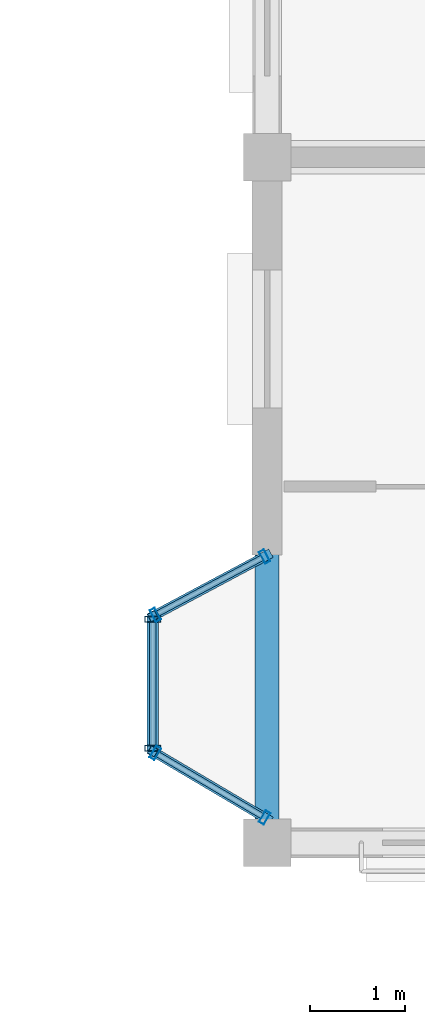
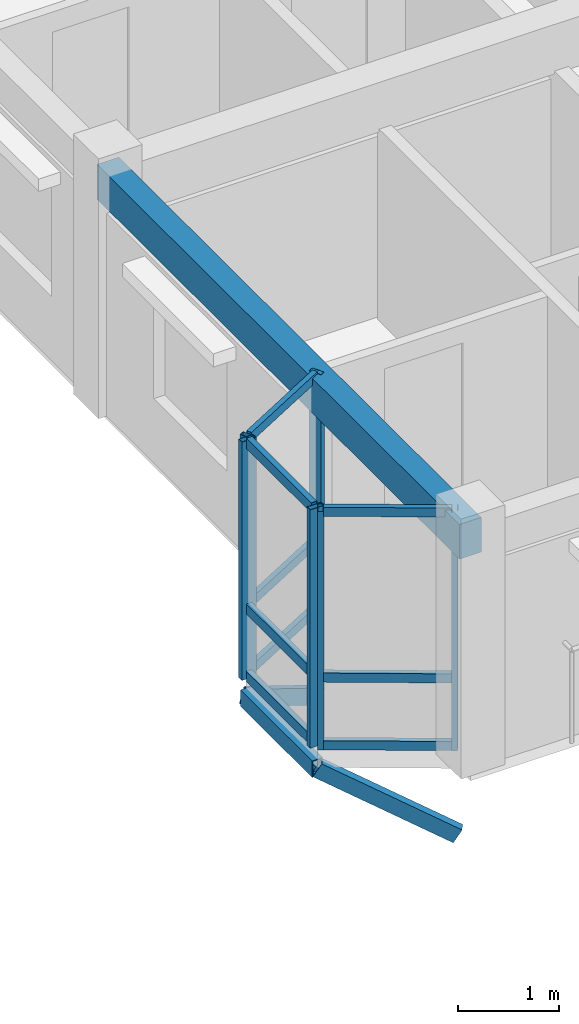
# One storey, part 14 of 64: 18 members, 1 beam, 3 elements without a shape of their own.
"""IFC4 building model written with IfcOpenShell, lengths in metres."""

from ifc_helpers import new_model, si_unit, direction, frame, origin, origin_2d, place, context, subcontext, project, spatial, rectangle, hollow_rectangle, extrude, material, layer, layer_set, material_profile, profile_set, type_object, element, aggregate, save


model = new_model("IFC4")

# Units and contexts
model_context = context("Model", 3, precision=1e-05, world=origin(), true_north=direction((0.0, 1.0)))
body_context = subcontext(model_context, "Body", "Model", "MODEL_VIEW")
ifc_project = project(units=[si_unit("LENGTHUNIT", "METRE"), si_unit("AREAUNIT", "SQUARE_METRE"), si_unit("VOLUMEUNIT", "CUBIC_METRE"), si_unit("PLANEANGLEUNIT", "RADIAN"), si_unit("MASSUNIT", "GRAM", prefix="KILO"), si_unit("THERMODYNAMICTEMPERATUREUNIT", "KELVIN"), si_unit("POWERUNIT", "WATT")], contexts=[model_context])

# Site, building, storey
site_placement = place(None, origin())
site = spatial("IfcSite", under=ifc_project, at=site_placement, CompositionType="ELEMENT")
building_placement = place(site_placement, origin())
building = spatial("IfcBuilding", under=site, at=building_placement, Name="Tavuni Mirador Residences", CompositionType="ELEMENT")
storey_placement = place(building_placement, frame((0.0, 0.0, 26.550048828125)))
storey = spatial("IfcBuildingStorey", under=building, at=storey_placement, Name="L08", CompositionType="ELEMENT", Elevation=26.550048828125)

# Beam
ifc_material_1 = material(Name="Precast concrete C40/50", Category="concrete")
ifc_material_profile_1 = material_profile(ifc_material_1, rectangle(XDim=0.25, YDim=0.419921875, at=origin_2d()), Name="PC 250x420", Category="concrete")
ifc_profile_set_1 = profile_set([ifc_material_profile_1], Name="Precast concrete C40/50")
beam_type = type_object("IfcBeamType", Name="BT-SP420", PredefinedType="SPANDREL", material=ifc_profile_set_1)
beam_placement = place(storey_placement, frame((97.199951171875, 86.39990234375, 2.679931640625), z_axis=(0.0, 1.0, 0.0), x_axis=(-1.0, 0.0, 0.0)))
element("IfcBeam", 1, at=beam_placement, inside=storey, type_object=beam_type, Name="BMY-BLK-D-L08-00-00", PredefinedType="SPANDREL", context=body_context, shape_type="SweptSolid", body=[
    extrude(rectangle(XDim=0.25, YDim=0.419921875, at=origin_2d()), origin(), (0.0, 0.0, 1.0), 7.2001953125),
])

# Curtain wall, members
ifc_material_2 = material(Name="Anodised aluminium", Category="aluminium")
ifc_layer_1 = layer(ifc_material_2, 0.1650390625, Name="Anodised aluminium", Category="aluminium")
ifc_layer_set_1 = layer_set([ifc_layer_1], Name="Anodised aluminium")
curtain_wall_type_1 = type_object("IfcCurtainWallType", Name="CWT-MIR-A", PredefinedType="NOTDEFINED", material=ifc_layer_set_1)
curtain_wall_1_placement = place(storey_placement, origin())
curtain_wall_1 = element("IfcCurtainWall", 2, at=curtain_wall_1_placement, inside=storey, type_object=curtain_wall_type_1, Name="CW-MIR-D-WU-L08-M1", PredefinedType="NOTDEFINED")
ifc_material_profile_2 = material_profile(ifc_material_2, hollow_rectangle(XDim=0.06005859375, YDim=0.139892578125, WallThickness=0.00390625, at=origin_2d()), Name="ALU 60x140x4.0", Category="aluminium")
ifc_profile_set_2 = profile_set([ifc_material_profile_2], Name="Anodised aluminium")
member_type_1 = type_object("IfcMemberType", Name="CWM-140", PredefinedType="MULLION", material=ifc_profile_set_2)
member_1_placement = place(storey_placement, frame((97.173583984375, 89.40576171875, 0.0), z_axis=(0.0, 0.0, 1.0), x_axis=(-0.882352941175, -0.470588235296, 0.0)))
member_1 = element("IfcMember", 3, at=member_1_placement, type_object=member_type_1, Name="CW-01 mullion 1", PredefinedType="MULLION", context=body_context, shape_type="SweptSolid", body=[
    extrude(hollow_rectangle(XDim=0.06005859375, YDim=0.139892578125, WallThickness=0.00390625, at=origin_2d()), origin(), (0.0, 0.0, 1.0), 2.889892578125),
])
member_2_placement = place(storey_placement, frame((96.0263671875, 88.794189453125, 0.0), z_axis=(0.0, 0.0, 1.0), x_axis=(-0.882352941175, -0.470588235296, 0.0)))
member_2 = element("IfcMember", 4, at=member_2_placement, type_object=member_type_1, Name="CW-01 mullion 2", PredefinedType="MULLION", context=body_context, shape_type="SweptSolid", body=[
    extrude(hollow_rectangle(XDim=0.06005859375, YDim=0.139892578125, WallThickness=0.00390625, at=origin_2d()), origin(), (0.0, 0.0, 1.0), 2.889892578125),
])

ifc_layer_2 = layer(ifc_material_2, 0.175048828125, Name="Anodised aluminium", Category="aluminium")
ifc_layer_set_2 = layer_set([ifc_layer_2], Name="Anodised aluminium")
curtain_wall_type_2 = type_object("IfcCurtainWallType", Name="CWT-MIR-C", PredefinedType="NOTDEFINED", material=ifc_layer_set_2)
curtain_wall_2_placement = place(storey_placement, origin())
curtain_wall_2 = element("IfcCurtainWall", 5, at=curtain_wall_2_placement, inside=storey, type_object=curtain_wall_type_2, Name="CW-MIR-D-WU-L08-M2", PredefinedType="NOTDEFINED")
member_3_placement = place(storey_placement, frame((96.02587890625, 87.3447265625, 0.0), z_axis=(0.0, 0.0, 1.0), x_axis=(0.860640830284, -0.509212491254, 0.0)))
member_3 = element("IfcMember", 6, at=member_3_placement, type_object=member_type_1, Name="CW-03 mullion 1", PredefinedType="MULLION", context=body_context, shape_type="SweptSolid", body=[
    extrude(hollow_rectangle(XDim=0.06005859375, YDim=0.139892578125, WallThickness=0.00390625, at=origin_2d()), origin(), (0.0, 0.0, 1.0), 2.889892578125),
])
member_4_placement = place(storey_placement, frame((97.174072265625, 86.665283203125, 0.0), z_axis=(0.0, 0.0, 1.0), x_axis=(0.860640830284, -0.509212491254, 0.0)))
member_4 = element("IfcMember", 7, at=member_4_placement, type_object=member_type_1, Name="CW-03 mullion 2", PredefinedType="MULLION", context=body_context, shape_type="SweptSolid", body=[
    extrude(hollow_rectangle(XDim=0.06005859375, YDim=0.139892578125, WallThickness=0.00390625, at=origin_2d()), origin(), (0.0, 0.0, 1.0), 2.889892578125),
])

ifc_layer_3 = layer(ifc_material_2, 0.14990234375, Name="Anodised aluminium", Category="aluminium")
ifc_layer_set_3 = layer_set([ifc_layer_3], Name="Anodised aluminium")
curtain_wall_type_3 = type_object("IfcCurtainWallType", Name="CWT-MIR-B", PredefinedType="NOTDEFINED", material=ifc_layer_set_3)
curtain_wall_3_placement = place(storey_placement, origin())
curtain_wall_3 = element("IfcCurtainWall", 8, at=curtain_wall_3_placement, inside=storey, type_object=curtain_wall_type_3, Name="CW-MIR-D-WU-L08-MF", PredefinedType="NOTDEFINED")
ifc_material_profile_3 = material_profile(ifc_material_2, hollow_rectangle(XDim=0.06494140625, YDim=0.1650390625, WallThickness=0.00439453125, at=origin_2d()), Name="ALU 65x165x4.5", Category="aluminium")
ifc_profile_set_3 = profile_set([ifc_material_profile_3], Name="Anodised aluminium")
member_type_2 = type_object("IfcMemberType", Name="CWM-165", PredefinedType="MULLION", material=ifc_profile_set_3)
member_5_placement = place(storey_placement, frame((96.0, 88.74755859375, 0.0), z_axis=(0.0, 0.0, 1.0), x_axis=(0.0, -1.0, 0.0)))
member_5 = element("IfcMember", 9, at=member_5_placement, type_object=member_type_2, Name="CW-02 mullion 1", PredefinedType="MULLION", context=body_context, shape_type="SweptSolid", body=[
    extrude(hollow_rectangle(XDim=0.06494140625, YDim=0.1650390625, WallThickness=0.00439453125, at=origin_2d()), origin(), (0.0, 0.0, 1.0), 2.889892578125),
])
member_6_placement = place(storey_placement, frame((96.0, 87.392578125, 0.0), z_axis=(0.0, 0.0, 1.0), x_axis=(0.0, -1.0, 0.0)))
member_6 = element("IfcMember", 10, at=member_6_placement, type_object=member_type_2, Name="CW-02 mullion 2", PredefinedType="MULLION", context=body_context, shape_type="SweptSolid", body=[
    extrude(hollow_rectangle(XDim=0.06494140625, YDim=0.1650390625, WallThickness=0.00439453125, at=origin_2d()), origin(), (0.0, 0.0, 1.0), 2.889892578125),
])

# Member
ifc_material_profile_4 = material_profile(ifc_material_2, hollow_rectangle(XDim=0.06005859375, YDim=0.110107421875, WallThickness=0.00390625, at=origin_2d()), Name="ALU 60x110x4.0", Category="aluminium")
ifc_profile_set_4 = profile_set([ifc_material_profile_4], Name="Anodised aluminium")
member_type_3 = type_object("IfcMemberType", Name="CWT-110", PredefinedType="USERDEFINED", material=ifc_profile_set_4)
member_7_placement = place(storey_placement, frame((97.14697265625, 89.391845703125, 0.030029296875), z_axis=(-0.882342039492, -0.470608675382, 0.0), x_axis=(0.470608675382, -0.882342039492, 0.0)))
member_7 = element("IfcMember", 11, at=member_7_placement, type_object=member_type_3, Name="CW-01 transom 1.1", ObjectType="TRANSOM", PredefinedType="USERDEFINED", context=body_context, shape_type="SweptSolid", body=[
    extrude(hollow_rectangle(XDim=0.06005859375, YDim=0.110107421875, WallThickness=0.00390625, at=origin_2d()), origin(), (0.0, 0.0, 1.0), 1.239990234375),
])

member_8_placement = place(storey_placement, frame((97.14697265625, 89.391845703125, 0.849853515625), z_axis=(-0.882342039492, -0.470608675382, 0.0), x_axis=(0.470608675382, -0.882342039492, 0.0)))
member_8 = element("IfcMember", 12, at=member_8_placement, type_object=member_type_3, Name="CW-01 transom 1.2", ObjectType="TRANSOM", PredefinedType="USERDEFINED", context=body_context, shape_type="SweptSolid", body=[
    extrude(hollow_rectangle(XDim=0.06005859375, YDim=0.110107421875, WallThickness=0.00390625, at=origin_2d()), origin(), (0.0, 0.0, 1.0), 1.239990234375),
])

member_9_placement = place(storey_placement, frame((97.14697265625, 89.391845703125, 2.85986328125), z_axis=(-0.882342039492, -0.470608675382, 0.0), x_axis=(0.470608675382, -0.882342039492, 0.0)))
member_9 = element("IfcMember", 13, at=member_9_placement, type_object=member_type_3, Name="CW-01 transom 1.3", ObjectType="TRANSOM", PredefinedType="USERDEFINED", context=body_context, shape_type="SweptSolid", body=[
    extrude(hollow_rectangle(XDim=0.06005859375, YDim=0.110107421875, WallThickness=0.00390625, at=origin_2d()), origin(), (0.0, 0.0, 1.0), 1.239990234375),
])

aggregate(curtain_wall_1, [member_1, member_2, member_7, member_8, member_9])

member_10_placement = place(storey_placement, frame((96.0517578125, 87.329345703125, 0.030029296875), z_axis=(0.860705202114, -0.509103678098, 0.0), x_axis=(0.509103678098, 0.860705202114, 0.0)))
member_10 = element("IfcMember", 14, at=member_10_placement, type_object=member_type_3, Name="CW-03 transom 1.1", ObjectType="TRANSOM", PredefinedType="USERDEFINED", context=body_context, shape_type="SweptSolid", body=[
    extrude(hollow_rectangle(XDim=0.06005859375, YDim=0.110107421875, WallThickness=0.00390625, at=origin_2d()), origin(), (0.0, 0.0, 1.0), 1.274169921875),
])

member_11_placement = place(storey_placement, frame((96.0517578125, 87.329345703125, 0.849853515625), z_axis=(0.860705202114, -0.509103678098, 0.0), x_axis=(0.509103678098, 0.860705202114, 0.0)))
member_11 = element("IfcMember", 15, at=member_11_placement, type_object=member_type_3, Name="CW-03 transom 1.2", ObjectType="TRANSOM", PredefinedType="USERDEFINED", context=body_context, shape_type="SweptSolid", body=[
    extrude(hollow_rectangle(XDim=0.06005859375, YDim=0.110107421875, WallThickness=0.00390625, at=origin_2d()), origin(), (0.0, 0.0, 1.0), 1.274169921875),
])

member_12_placement = place(storey_placement, frame((96.0517578125, 87.329345703125, 2.85986328125), z_axis=(0.860705202114, -0.509103678098, 0.0), x_axis=(0.509103678098, 0.860705202114, 0.0)))
member_12 = element("IfcMember", 16, at=member_12_placement, type_object=member_type_3, Name="CW-03 transom 1.3", ObjectType="TRANSOM", PredefinedType="USERDEFINED", context=body_context, shape_type="SweptSolid", body=[
    extrude(hollow_rectangle(XDim=0.06005859375, YDim=0.110107421875, WallThickness=0.00390625, at=origin_2d()), origin(), (0.0, 0.0, 1.0), 1.274169921875),
])

aggregate(curtain_wall_2, [member_3, member_4, member_10, member_11, member_12])

ifc_material_profile_5 = material_profile(ifc_material_2, hollow_rectangle(XDim=0.06494140625, YDim=0.125, WallThickness=0.00439453125, at=origin_2d()), Name="ALU 65x125x4.5", Category="aluminium")
ifc_profile_set_5 = profile_set([ifc_material_profile_5], Name="Anodised aluminium")
member_type_4 = type_object("IfcMemberType", Name="CWT-125", PredefinedType="USERDEFINED", material=ifc_profile_set_5)
member_13_placement = place(storey_placement, frame((96.0, 88.715087890625, 0.032470703125), z_axis=(0.0, -1.0, 0.0), x_axis=(1.0, 0.0, 0.0)))
member_13 = element("IfcMember", 17, at=member_13_placement, type_object=member_type_4, Name="CW-02 transom 1.1", ObjectType="TRANSOM", PredefinedType="USERDEFINED", context=body_context, shape_type="SweptSolid", body=[
    extrude(hollow_rectangle(XDim=0.06494140625, YDim=0.125, WallThickness=0.00439453125, at=origin_2d()), origin(), (0.0, 0.0, 1.0), 1.2900390625),
])

member_14_placement = place(storey_placement, frame((96.0, 88.715087890625, 0.849853515625), z_axis=(0.0, -1.0, 0.0), x_axis=(1.0, 0.0, 0.0)))
member_14 = element("IfcMember", 18, at=member_14_placement, type_object=member_type_4, Name="CW-02 transom 1.2", ObjectType="TRANSOM", PredefinedType="USERDEFINED", context=body_context, shape_type="SweptSolid", body=[
    extrude(hollow_rectangle(XDim=0.06494140625, YDim=0.125, WallThickness=0.00439453125, at=origin_2d()), origin(), (0.0, 0.0, 1.0), 1.2900390625),
])

member_15_placement = place(storey_placement, frame((96.0, 88.715087890625, 2.857421875), z_axis=(0.0, -1.0, 0.0), x_axis=(1.0, 0.0, 0.0)))
member_15 = element("IfcMember", 19, at=member_15_placement, type_object=member_type_4, Name="CW-02 transom 1.3", ObjectType="TRANSOM", PredefinedType="USERDEFINED", context=body_context, shape_type="SweptSolid", body=[
    extrude(hollow_rectangle(XDim=0.06494140625, YDim=0.125, WallThickness=0.00439453125, at=origin_2d()), origin(), (0.0, 0.0, 1.0), 1.2900390625),
])

aggregate(curtain_wall_3, [member_5, member_6, member_13, member_14, member_15])

# Members
ifc_material_3 = material(Name="Structural steel S355", Category="steel")
ifc_material_profile_6 = material_profile(ifc_material_3, hollow_rectangle(XDim=0.10009765625, YDim=0.179931640625, WallThickness=0.008056640625, at=origin_2d()), Name="RHS 180x100x8.0", Category="steel")
ifc_profile_set_6 = profile_set([ifc_material_profile_6], Name="Structural steel S355")
member_type_5 = type_object("IfcMemberType", Name="MT-BR-RHS180", PredefinedType="BRACE", material=ifc_profile_set_6)
member_16_placement = place(storey_placement, frame((97.199951171875, 86.64990234375, -1.050048828125), z_axis=(-0.748736867026, 0.443148636048, 0.492962869114), x_axis=(-0.509336771823, -0.860567285497, 0.0)))
element("IfcMember", 20, at=member_16_placement, inside=storey, type_object=member_type_5, Name="MBRK-MIR-D-WU-L08-1", PredefinedType="BRACE", context=body_context, shape_type="SweptSolid", body=[
    extrude(hollow_rectangle(XDim=0.10009765625, YDim=0.179931640625, WallThickness=0.008056640625, at=origin_2d()), origin(), (0.0, 0.0, 1.0), 1.6025390625),
])
member_17_placement = place(storey_placement, frame((97.199951171875, 89.419921875, -1.050048828125), z_axis=(-0.762969185555, -0.406865154698, 0.502333323389), x_axis=(0.47054164445, -0.882377788047, 0.0)))
element("IfcMember", 21, at=member_17_placement, inside=storey, type_object=member_type_5, Name="MBRK-MIR-D-WU-L08-2", PredefinedType="BRACE", context=body_context, shape_type="SweptSolid", body=[
    extrude(hollow_rectangle(XDim=0.10009765625, YDim=0.179931640625, WallThickness=0.008056640625, at=origin_2d()), origin(), (0.0, 0.0, 1.0), 1.57275390625),
])
ifc_material_profile_7 = material_profile(ifc_material_3, hollow_rectangle(XDim=0.1201171875, YDim=0.199951171875, WallThickness=0.010009765625, at=origin_2d()), Name="RHS 200x120x10.0", Category="steel")
ifc_profile_set_7 = profile_set([ifc_material_profile_7], Name="Structural steel S355")
member_type_6 = type_object("IfcMemberType", Name="MT-ST-RHS200", PredefinedType="STRUT", material=ifc_profile_set_7)
member_18_placement = place(storey_placement, frame((96.0, 87.360107421875, -0.260009765625), z_axis=(0.0, 1.0, 0.0), x_axis=(-1.0, 0.0, 0.0)))
element("IfcMember", 22, at=member_18_placement, inside=storey, type_object=member_type_6, Name="MRIM-MIR-D-WU-L08", PredefinedType="STRUT", context=body_context, shape_type="SweptSolid", body=[
    extrude(hollow_rectangle(XDim=0.1201171875, YDim=0.199951171875, WallThickness=0.010009765625, at=origin_2d()), origin(), (0.0, 0.0, 1.0), 1.419921875),
])

save(model, "model.ifc")
